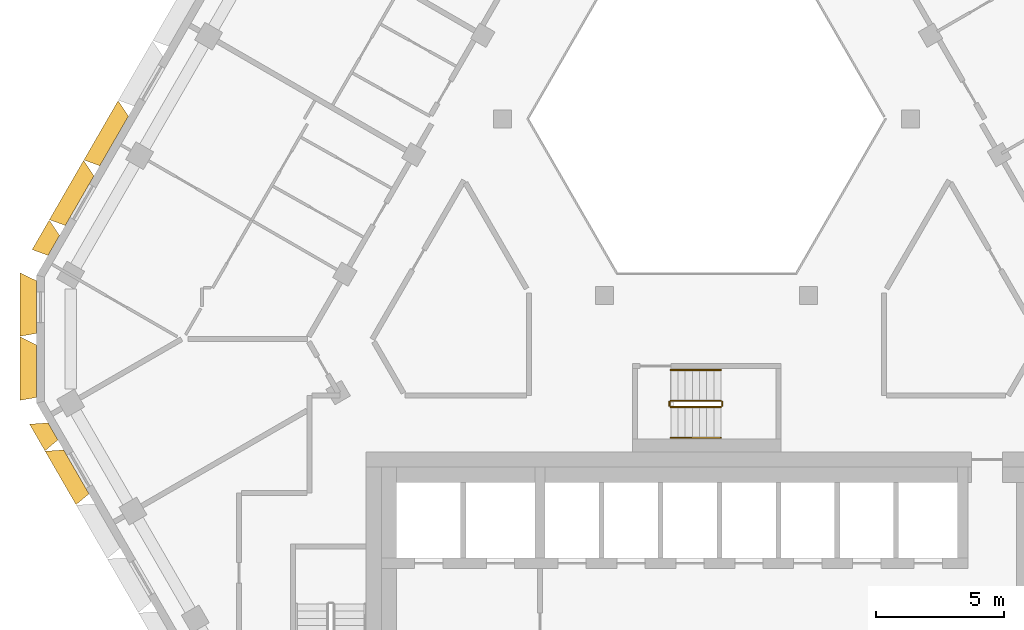
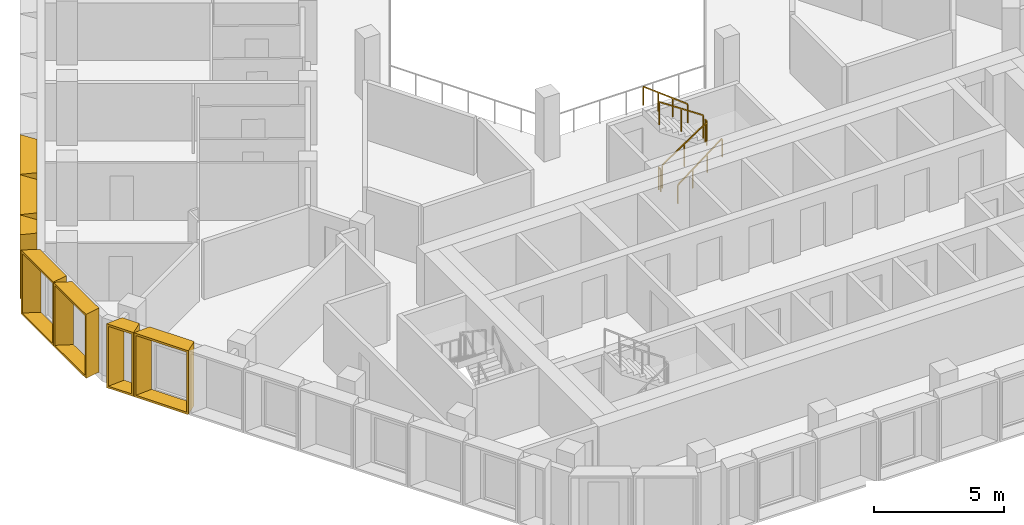
# One storey, part 12 of 15: 7 shading devices, 6 railings.
"""IFC4 building model written with IfcOpenShell, lengths in metres."""

from ifc_helpers import new_model, entity, si_unit, direction, frame, origin, origin_2d, place, context, subcontext, project, spatial, rectangle, extrude, source, transform, mapped, material, type_object, type_shapes, element, save


model = new_model("IFC4")

# Units and contexts
model_context = context("Model", 3, precision=1e-05, world=origin(), true_north=direction((0.0, 1.0)))
body_context = subcontext(model_context, "Body", "Model", "MODEL_VIEW")
ifc_project = project(units=[si_unit("LENGTHUNIT", "METRE"), si_unit("AREAUNIT", "SQUARE_METRE"), si_unit("VOLUMEUNIT", "CUBIC_METRE"), si_unit("PLANEANGLEUNIT", "RADIAN"), si_unit("MASSUNIT", "GRAM", prefix="KILO")], contexts=[model_context])

# Site, building, storey
site_placement = place(None, origin())
site = spatial("IfcSite", under=ifc_project, at=site_placement, CompositionType="ELEMENT")
building_placement = place(site_placement, origin())
building = spatial("IfcBuilding", under=site, at=building_placement, Name="Beryl Residences", CompositionType="ELEMENT")
storey_placement = place(building_placement, frame((0.0, 0.0, 175.199951171875)))
storey = spatial("IfcBuildingStorey", under=building, at=storey_placement, Name="L53", CompositionType="ELEMENT", Elevation=175.199951171875)

# Shading devices
ifc_material_1 = material(Name="Aluminium pale anodised", Category="aluminium")
shading_device_type_1 = type_object("IfcShadingDeviceType", Name="FR122-65B OUTER SKIN frame 650 mm deep, splay 26/10 deg, 1220 x 3000 mm cell", PredefinedType="USERDEFINED", material=ifc_material_1)
cartesian_point_1 = entity("IfcCartesianPoint", [-0.384033203125, 0.0])
cartesian_point_2 = entity("IfcCartesianPoint", [-0.294921875, 0.10009765625])
cartesian_point_3 = entity("IfcCartesianPoint", [-0.700927734375, 0.0])
cartesian_point_4 = entity("IfcCartesianPoint", [-0.612060546875, 0.10009765625])
shared_shape_1 = source(origin(), body_context, "Body", "SweptSolid", [
    entity("IfcExtrudedAreaSolidTapered", entity("IfcArbitraryProfileDefWithVoids", "AREA", None, entity("IfcPolyline", [cartesian_point_1, entity("IfcCartesianPoint", [0.384033203125, 0.0]), entity("IfcCartesianPoint", [0.384033203125, 3.0]), entity("IfcCartesianPoint", [-0.384033203125, 3.0]), cartesian_point_1]), [entity("IfcPolyline", [cartesian_point_2, entity("IfcCartesianPoint", [0.302734375, 0.10009765625]), entity("IfcCartesianPoint", [0.302734375, 2.89990234375]), entity("IfcCartesianPoint", [-0.294921875, 2.89990234375]), cartesian_point_2])]), entity("IfcAxis2Placement3D", entity("IfcCartesianPoint", [0.0, 0.0, 0.0]), entity("IfcDirection", [0.0, 1.0, 0.0]), entity("IfcDirection", [-1.0, 0.0, 0.0])), entity("IfcDirection", [0.0, 0.0, 1.0]), 0.64990234375, entity("IfcArbitraryProfileDefWithVoids", "AREA", None, entity("IfcPolyline", [cartesian_point_3, entity("IfcCartesianPoint", [0.49853515625, 0.0]), entity("IfcCartesianPoint", [0.49853515625, 3.0]), entity("IfcCartesianPoint", [-0.700927734375, 3.0]), cartesian_point_3]), [entity("IfcPolyline", [cartesian_point_4, entity("IfcCartesianPoint", [0.41748046875, 0.10009765625]), entity("IfcCartesianPoint", [0.41748046875, 2.89990234375]), entity("IfcCartesianPoint", [-0.612060546875, 2.89990234375]), cartesian_point_4])])),
])
type_shapes(shading_device_type_1, [shared_shape_1])
shading_device_1_placement = place(storey_placement, frame((-25.51708984375, -4.200927734375, 0.0), z_axis=(0.0, 0.0, 1.0), x_axis=(-0.5, 0.866025403784, 0.0)))
element("IfcShadingDevice", 1, at=shading_device_1_placement, inside=storey, type_object=shading_device_type_1, Name="FR122-65B frame L53 SW 1", ObjectType="OUTER SKIN", PredefinedType="USERDEFINED", context=body_context, shape_type="MappedRepresentation", body=[
    mapped(shared_shape_1, transform((0.0, 0.0, 0.0))),
])
ifc_material_2 = material(Name="Aluminium pale anodised", Category="aluminium")
shading_device_type_2 = type_object("IfcShadingDeviceType", Name="FR135-65B OUTER SKIN frame 650 mm deep, splay 26/10 deg, 1350 x 3000 mm cell", PredefinedType="USERDEFINED", material=ifc_material_2)
cartesian_point_5 = entity("IfcCartesianPoint", [-0.448974609375, 0.0])
cartesian_point_6 = entity("IfcCartesianPoint", [-0.360107421875, 0.10009765625])
cartesian_point_7 = entity("IfcCartesianPoint", [-0.76611328125, 0.0])
cartesian_point_8 = entity("IfcCartesianPoint", [-0.677001953125, 0.10009765625])
shared_shape_2 = source(origin(), body_context, "Body", "SweptSolid", [
    entity("IfcExtrudedAreaSolidTapered", entity("IfcArbitraryProfileDefWithVoids", "AREA", None, entity("IfcPolyline", [cartesian_point_5, entity("IfcCartesianPoint", [0.448974609375, 0.0]), entity("IfcCartesianPoint", [0.448974609375, 3.0]), entity("IfcCartesianPoint", [-0.448974609375, 3.0]), cartesian_point_5]), [entity("IfcPolyline", [cartesian_point_6, entity("IfcCartesianPoint", [0.36767578125, 0.10009765625]), entity("IfcCartesianPoint", [0.36767578125, 2.89990234375]), entity("IfcCartesianPoint", [-0.360107421875, 2.89990234375]), cartesian_point_6])]), entity("IfcAxis2Placement3D", entity("IfcCartesianPoint", [0.0, 0.0, 0.0]), entity("IfcDirection", [0.0, 1.0, 0.0]), entity("IfcDirection", [-1.0, 0.0, 0.0])), entity("IfcDirection", [0.0, 0.0, 1.0]), 0.64990234375, entity("IfcArbitraryProfileDefWithVoids", "AREA", None, entity("IfcPolyline", [cartesian_point_7, entity("IfcCartesianPoint", [0.563720703125, 0.0]), entity("IfcCartesianPoint", [0.563720703125, 3.0]), entity("IfcCartesianPoint", [-0.76611328125, 3.0]), cartesian_point_7]), [entity("IfcPolyline", [cartesian_point_8, entity("IfcCartesianPoint", [0.482421875, 0.10009765625]), entity("IfcCartesianPoint", [0.482421875, 2.89990234375]), entity("IfcCartesianPoint", [-0.677001953125, 2.89990234375]), cartesian_point_8])])),
])
type_shapes(shading_device_type_2, [shared_shape_2])
shading_device_2_placement = place(storey_placement, frame((-25.485107421875, 3.056884765625, 0.0), z_axis=(0.0, 0.0, 1.0), x_axis=(0.5, 0.866025403784, 0.0)))
element("IfcShadingDevice", 2, at=shading_device_2_placement, inside=storey, type_object=shading_device_type_2, Name="FR135-65B frame L53 NW 9", ObjectType="OUTER SKIN", PredefinedType="USERDEFINED", context=body_context, shape_type="MappedRepresentation", body=[
    mapped(shared_shape_2, transform((0.0, 0.0, 0.0))),
])
ifc_material_3 = material(Name="Aluminium pale anodised", Category="aluminium")
shading_device_type_3 = type_object("IfcShadingDeviceType", Name="FR243-65B OUTER SKIN frame 650 mm deep, splay 26/10 deg, 2430 x 3000 mm cell", PredefinedType="USERDEFINED", material=ifc_material_3)
cartesian_point_9 = entity("IfcCartesianPoint", [-0.989013671875, 0.0])
cartesian_point_10 = entity("IfcCartesianPoint", [-0.89990234375, 0.10009765625])
cartesian_point_11 = entity("IfcCartesianPoint", [-1.305908203125, 0.0])
cartesian_point_12 = entity("IfcCartesianPoint", [-1.217041015625, 0.10009765625])
shared_shape_3 = source(origin(), body_context, "Body", "SweptSolid", [
    entity("IfcExtrudedAreaSolidTapered", entity("IfcArbitraryProfileDefWithVoids", "AREA", None, entity("IfcPolyline", [cartesian_point_9, entity("IfcCartesianPoint", [0.989013671875, 0.0]), entity("IfcCartesianPoint", [0.989013671875, 3.0]), entity("IfcCartesianPoint", [-0.989013671875, 3.0]), cartesian_point_9]), [entity("IfcPolyline", [cartesian_point_10, entity("IfcCartesianPoint", [0.90771484375, 0.10009765625]), entity("IfcCartesianPoint", [0.90771484375, 2.89990234375]), entity("IfcCartesianPoint", [-0.89990234375, 2.89990234375]), cartesian_point_10])]), entity("IfcAxis2Placement3D", entity("IfcCartesianPoint", [0.0, 0.0, 0.0]), entity("IfcDirection", [0.0, 1.0, 0.0]), entity("IfcDirection", [-1.0, 0.0, 0.0])), entity("IfcDirection", [0.0, 0.0, 1.0]), 0.64990234375, entity("IfcArbitraryProfileDefWithVoids", "AREA", None, entity("IfcPolyline", [cartesian_point_11, entity("IfcCartesianPoint", [1.103515625, 0.0]), entity("IfcCartesianPoint", [1.103515625, 3.0]), entity("IfcCartesianPoint", [-1.305908203125, 3.0]), cartesian_point_11]), [entity("IfcPolyline", [cartesian_point_12, entity("IfcCartesianPoint", [1.0224609375, 0.10009765625]), entity("IfcCartesianPoint", [1.0224609375, 2.89990234375]), entity("IfcCartesianPoint", [-1.217041015625, 2.89990234375]), cartesian_point_12])])),
])
type_shapes(shading_device_type_3, [shared_shape_3])
shading_device_3_placement = place(storey_placement, frame((-24.60498046875, -5.781005859375, 0.0), z_axis=(0.0, 0.0, 1.0), x_axis=(-0.5, 0.866025403784, 0.0)))
element("IfcShadingDevice", 3, at=shading_device_3_placement, inside=storey, type_object=shading_device_type_3, Name="FR243-65B frame L53 SW 2", ObjectType="OUTER SKIN", PredefinedType="USERDEFINED", context=body_context, shape_type="MappedRepresentation", body=[
    mapped(shared_shape_3, transform((0.0, 0.0, 0.0))),
])
ifc_material_4 = material(Name="Aluminium pale anodised", Category="aluminium")
shading_device_type_4 = type_object("IfcShadingDeviceType", Name="FR250-65B OUTER SKIN frame 650 mm deep, splay 26/10 deg, 2500 x 3000 mm cell", PredefinedType="USERDEFINED", material=ifc_material_4)
cartesian_point_13 = entity("IfcCartesianPoint", [-1.02392578125, 0.0])
cartesian_point_14 = entity("IfcCartesianPoint", [-0.93505859375, 0.10009765625])
cartesian_point_15 = entity("IfcCartesianPoint", [-1.341064453125, 0.0])
cartesian_point_16 = entity("IfcCartesianPoint", [-1.251953125, 0.10009765625])
shared_shape_4 = source(origin(), body_context, "Body", "SweptSolid", [
    entity("IfcExtrudedAreaSolidTapered", entity("IfcArbitraryProfileDefWithVoids", "AREA", None, entity("IfcPolyline", [cartesian_point_13, entity("IfcCartesianPoint", [1.02392578125, 0.0]), entity("IfcCartesianPoint", [1.02392578125, 3.0]), entity("IfcCartesianPoint", [-1.02392578125, 3.0]), cartesian_point_13]), [entity("IfcPolyline", [cartesian_point_14, entity("IfcCartesianPoint", [0.94287109375, 0.10009765625]), entity("IfcCartesianPoint", [0.94287109375, 2.89990234375]), entity("IfcCartesianPoint", [-0.93505859375, 2.89990234375]), cartesian_point_14])]), entity("IfcAxis2Placement3D", entity("IfcCartesianPoint", [0.0, 0.0, 0.0]), entity("IfcDirection", [0.0, 1.0, 0.0]), entity("IfcDirection", [-1.0, 0.0, 0.0])), entity("IfcDirection", [0.0, 0.0, 1.0]), 0.64990234375, entity("IfcArbitraryProfileDefWithVoids", "AREA", None, entity("IfcPolyline", [cartesian_point_15, entity("IfcCartesianPoint", [1.138671875, 0.0]), entity("IfcCartesianPoint", [1.138671875, 3.0]), entity("IfcCartesianPoint", [-1.341064453125, 3.0]), cartesian_point_15]), [entity("IfcPolyline", [cartesian_point_16, entity("IfcCartesianPoint", [1.057373046875, 0.10009765625]), entity("IfcCartesianPoint", [1.057373046875, 2.89990234375]), entity("IfcCartesianPoint", [-1.251953125, 2.89990234375]), cartesian_point_16])])),
])
type_shapes(shading_device_type_4, [shared_shape_4])
for number, where, z_axis, x_axis, name in (
    (4, (-26.154052734375, 0.64990234375, 0.0), (0.0, 0.0, 1.0), (0.0, 1.0, 0.0), "FR250-65B frame L53 NW-SW 1"),
    (5, (-26.154052734375, -1.85009765625, 0.0), (0.0, 0.0, 1.0), (0.0, 1.0, 0.0), "FR250-65B frame L53 NW-SW 2"),
):
    element("IfcShadingDevice", number, at=place(storey_placement, frame(where, z_axis=z_axis, x_axis=x_axis)), inside=storey, type_object=shading_device_type_4, Name=name, ObjectType="OUTER SKIN", PredefinedType="USERDEFINED", context=body_context, shape_type="MappedRepresentation", body=[
        mapped(shared_shape_4, transform((0.0, 0.0, 0.0))),
    ])
ifc_material_5 = material(Name="Aluminium pale anodised", Category="aluminium")
shading_device_type_5 = type_object("IfcShadingDeviceType", Name="FR269-65B OUTER SKIN frame 650 mm deep, splay 26/10 deg, 2690 x 3000 mm cell", PredefinedType="USERDEFINED", material=ifc_material_5)
cartesian_point_17 = entity("IfcCartesianPoint", [-1.118896484375, 0.0])
cartesian_point_18 = entity("IfcCartesianPoint", [-1.030029296875, 0.10009765625])
cartesian_point_19 = entity("IfcCartesianPoint", [-1.43603515625, 0.0])
cartesian_point_20 = entity("IfcCartesianPoint", [-1.346923828125, 0.10009765625])
shared_shape_5 = source(origin(), body_context, "Body", "SweptSolid", [
    entity("IfcExtrudedAreaSolidTapered", entity("IfcArbitraryProfileDefWithVoids", "AREA", None, entity("IfcPolyline", [cartesian_point_17, entity("IfcCartesianPoint", [1.118896484375, 0.0]), entity("IfcCartesianPoint", [1.118896484375, 3.0]), entity("IfcCartesianPoint", [-1.118896484375, 3.0]), cartesian_point_17]), [entity("IfcPolyline", [cartesian_point_18, entity("IfcCartesianPoint", [1.037841796875, 0.10009765625]), entity("IfcCartesianPoint", [1.037841796875, 2.89990234375]), entity("IfcCartesianPoint", [-1.030029296875, 2.89990234375]), cartesian_point_18])]), entity("IfcAxis2Placement3D", entity("IfcCartesianPoint", [0.0, 0.0, 0.0]), entity("IfcDirection", [0.0, 1.0, 0.0]), entity("IfcDirection", [-1.0, 0.0, 0.0])), entity("IfcDirection", [0.0, 0.0, 1.0]), 0.64990234375, entity("IfcArbitraryProfileDefWithVoids", "AREA", None, entity("IfcPolyline", [cartesian_point_19, entity("IfcCartesianPoint", [1.233642578125, 0.0]), entity("IfcCartesianPoint", [1.233642578125, 3.0]), entity("IfcCartesianPoint", [-1.43603515625, 3.0]), cartesian_point_19]), [entity("IfcPolyline", [cartesian_point_20, entity("IfcCartesianPoint", [1.15234375, 0.10009765625]), entity("IfcCartesianPoint", [1.15234375, 2.89990234375]), entity("IfcCartesianPoint", [-1.346923828125, 2.89990234375]), cartesian_point_20])])),
])
type_shapes(shading_device_type_5, [shared_shape_5])
for number, where, z_axis, x_axis, name in (
    (6, (-23.1298828125, 7.136962890625, 0.0), (0.0, 0.0, 1.0), (0.5, 0.866025403784, 0.0), "FR269-65B frame L53 NW 7"),
    (7, (-24.47607421875, 4.805908203125, 0.0), (0.0, 0.0, 1.0), (0.5, 0.866025403784, 0.0), "FR269-65B frame L53 NW 8"),
):
    element("IfcShadingDevice", number, at=place(storey_placement, frame(where, z_axis=z_axis, x_axis=x_axis)), inside=storey, type_object=shading_device_type_5, Name=name, ObjectType="OUTER SKIN", PredefinedType="USERDEFINED", context=body_context, shape_type="MappedRepresentation", body=[
        mapped(shared_shape_5, transform((0.0, 0.0, 0.0))),
    ])

# Railings
ifc_material_6 = material(Name="Stainless steel balustrade with glass infill", Category="steel")
railing_type_1 = type_object("IfcRailingType", Name="SG1 stair guard 1100 mm", PredefinedType="GUARDRAIL", material=ifc_material_6)
railing_1_placement = place(storey_placement, frame((-1.39990234375, -3.25, 0.1875)))
element("IfcRailing", 8, at=railing_1_placement, inside=storey, type_object=railing_type_1, Name="L53 ST-4 stair guard 1", PredefinedType="GUARDRAIL", context=body_context, shape_type="SweptSolid", body=[
    extrude(rectangle(XDim=0.048095703125, YDim=0.048095703125, at=origin_2d()), frame((0.0, 0.0, 1.076171875), z_axis=(0.830902050051, 0.0, 0.556418712142), x_axis=(0.0, 1.0, 0.0)), (0.0, 0.0, 1.0), 2.35888671875),
    extrude(rectangle(XDim=0.0419921875, YDim=0.0419921875, at=origin_2d()), origin(), (0.0, 0.0, 1.0), 1.052001953125),
    extrude(rectangle(XDim=0.0419921875, YDim=0.0419921875, at=origin_2d()), frame((0.97998046875, 0.0, 0.65625)), (0.0, 0.0, 1.0), 1.052001953125),
    extrude(rectangle(XDim=0.0419921875, YDim=0.0419921875, at=origin_2d()), frame((1.9599609375, 0.0, 1.3125)), (0.0, 0.0, 1.0), 1.052001953125),
])
railing_2_placement = place(storey_placement, frame((0.610107421875, -3.199951171875, 1.5)))
element("IfcRailing", 9, at=railing_2_placement, inside=storey, type_object=railing_type_1, Name="L53 ST-4 stair guard 2", PredefinedType="GUARDRAIL", context=body_context, shape_type="SweptSolid", body=[
    extrude(rectangle(XDim=0.048095703125, YDim=0.048095703125, at=origin_2d()), frame((0.0, 0.0, 1.076171875), z_axis=(0.0, 1.0, 0.0), x_axis=(-1.0, 0.0, 0.0)), (0.0, 0.0, 1.0), 0.14990234375),
    extrude(rectangle(XDim=0.0419921875, YDim=0.0419921875, at=origin_2d()), origin(), (0.0, 0.0, 1.0), 1.052001953125),
    extrude(rectangle(XDim=0.0419921875, YDim=0.0419921875, at=origin_2d()), frame((0.0, 0.14990234375, 0.0)), (0.0, 0.0, 1.0), 1.052001953125),
])
railing_3_placement = place(storey_placement, frame((0.56005859375, -3.0, 1.6875)))
element("IfcRailing", 10, at=railing_3_placement, inside=storey, type_object=railing_type_1, Name="L53 ST-4 stair guard 3", PredefinedType="GUARDRAIL", context=body_context, shape_type="SweptSolid", body=[
    extrude(rectangle(XDim=0.048095703125, YDim=0.048095703125, at=origin_2d()), frame((0.0, 0.0, 1.076171875), z_axis=(-0.830902050051, 0.0, 0.556418712142), x_axis=(0.0, -1.0, 0.0)), (0.0, 0.0, 1.0), 2.35888671875),
    extrude(rectangle(XDim=0.0419921875, YDim=0.0419921875, at=origin_2d()), origin(), (0.0, 0.0, 1.0), 1.052001953125),
    extrude(rectangle(XDim=0.0419921875, YDim=0.0419921875, at=origin_2d()), frame((-0.97998046875, 0.0, 0.65625)), (0.0, 0.0, 1.0), 1.052001953125),
    extrude(rectangle(XDim=0.0419921875, YDim=0.0419921875, at=origin_2d()), frame((-1.9599609375, 0.0, 1.3125)), (0.0, 0.0, 1.0), 1.052001953125),
])
railing_4_placement = place(storey_placement, frame((-1.449951171875, -3.199951171875, 0.0)))
element("IfcRailing", 11, at=railing_4_placement, inside=storey, type_object=railing_type_1, Name="L53 ST-4 stair guard 4", PredefinedType="GUARDRAIL", context=body_context, shape_type="SweptSolid", body=[
    extrude(rectangle(XDim=0.048095703125, YDim=0.048095703125, at=origin_2d()), frame((0.0, 0.0, 1.076171875), z_axis=(0.0, 1.0, 0.0), x_axis=(-1.0, 0.0, 0.0)), (0.0, 0.0, 1.0), 0.14990234375),
    extrude(rectangle(XDim=0.0419921875, YDim=0.0419921875, at=origin_2d()), origin(), (0.0, 0.0, 1.0), 1.052001953125),
    extrude(rectangle(XDim=0.0419921875, YDim=0.0419921875, at=origin_2d()), frame((0.0, 0.14990234375, 0.0)), (0.0, 0.0, 1.0), 1.052001953125),
])
ifc_material_7 = material(Name="Stainless steel handrail", Category="steel")
railing_type_2 = type_object("IfcRailingType", Name="SRL1 stair handrail 900 mm", PredefinedType="HANDRAIL", material=ifc_material_7)
railing_5_placement = place(storey_placement, frame((-1.39990234375, -4.449951171875, 0.1875)))
element("IfcRailing", 12, at=railing_5_placement, inside=storey, type_object=railing_type_2, Name="L53 ST-4 stair handrail 1", PredefinedType="HANDRAIL", context=body_context, shape_type="SweptSolid", body=[
    extrude(rectangle(XDim=0.048095703125, YDim=0.048095703125, at=origin_2d()), frame((0.0, 0.0, 0.8759765625), z_axis=(0.794121922505, 0.0, 0.607758481798), x_axis=(0.0, 1.0, 0.0)), (0.0, 0.0, 1.0), 2.468017578125),
    extrude(rectangle(XDim=0.0419921875, YDim=0.0419921875, at=origin_2d()), origin(), (0.0, 0.0, 1.0), 0.851806640625),
    extrude(rectangle(XDim=0.0419921875, YDim=0.0419921875, at=origin_2d()), frame((0.6533203125, 0.0, 0.5)), (0.0, 0.0, 1.0), 0.851806640625),
    extrude(rectangle(XDim=0.0419921875, YDim=0.0419921875, at=origin_2d()), frame((1.306640625, 0.0, 1.0)), (0.0, 0.0, 1.0), 0.851806640625),
    extrude(rectangle(XDim=0.0419921875, YDim=0.0419921875, at=origin_2d()), frame((1.9599609375, 0.0, 1.5)), (0.0, 0.0, 1.0), 0.851806640625),
])
railing_6_placement = place(storey_placement, frame((0.56005859375, -1.800048828125, 1.6875)))
element("IfcRailing", 13, at=railing_6_placement, inside=storey, type_object=railing_type_2, Name="L53 ST-4 stair handrail 2", PredefinedType="HANDRAIL", context=body_context, shape_type="SweptSolid", body=[
    extrude(rectangle(XDim=0.048095703125, YDim=0.048095703125, at=origin_2d()), frame((0.0, 0.0, 0.8759765625), z_axis=(-0.794121922505, 0.0, 0.607758481798), x_axis=(0.0, -1.0, 0.0)), (0.0, 0.0, 1.0), 2.468017578125),
    extrude(rectangle(XDim=0.0419921875, YDim=0.0419921875, at=origin_2d()), origin(), (0.0, 0.0, 1.0), 0.851806640625),
    extrude(rectangle(XDim=0.0419921875, YDim=0.0419921875, at=origin_2d()), frame((-0.6533203125, 0.0, 0.5)), (0.0, 0.0, 1.0), 0.851806640625),
    extrude(rectangle(XDim=0.0419921875, YDim=0.0419921875, at=origin_2d()), frame((-1.306640625, 0.0, 1.0)), (0.0, 0.0, 1.0), 0.851806640625),
    extrude(rectangle(XDim=0.0419921875, YDim=0.0419921875, at=origin_2d()), frame((-1.9599609375, 0.0, 1.5)), (0.0, 0.0, 1.0), 0.851806640625),
])

save(model, "model.ifc")
